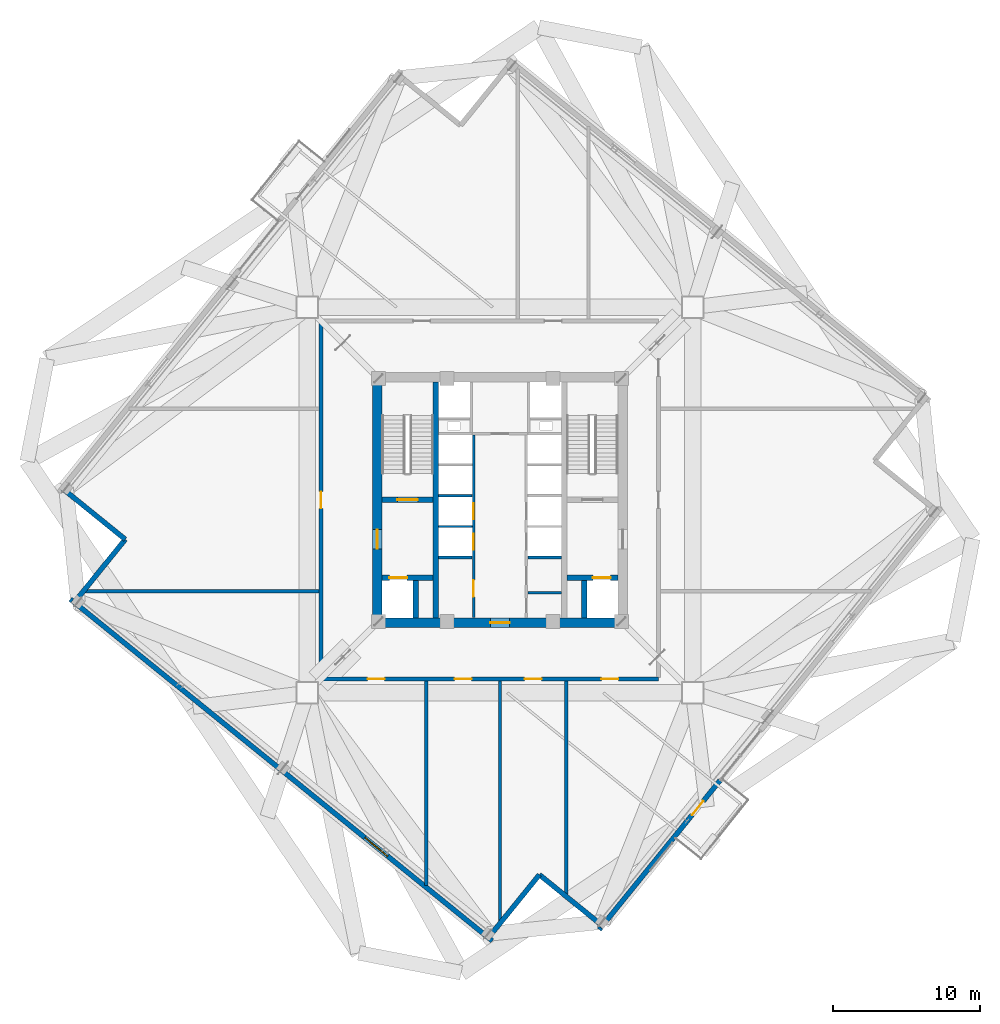
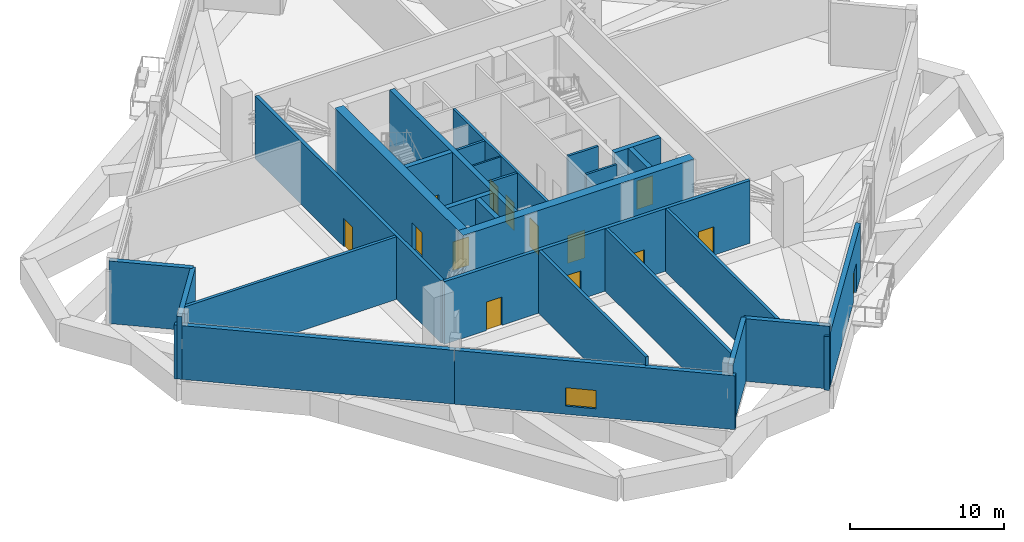
# One storey, part 17 of 22: 27 walls, 14 doors, 1 window, 15 openings.
"""IFC4 building model written with IfcOpenShell, lengths in metres."""

from ifc_helpers import new_model, si_unit, direction, frame, frame_2d, origin, place, context, subcontext, project, spatial, rectangle, extrude, source, transform, mapped, material, layer, layer_set, type_object, element, fill, save


model = new_model("IFC4")

# Units and contexts
model_context = context("Model", 3, precision=1e-05, world=origin(), true_north=direction((0.0, 1.0)))
body_context = subcontext(model_context, "Body", "Model", "MODEL_VIEW")
ifc_project = project(units=[si_unit("LENGTHUNIT", "METRE"), si_unit("AREAUNIT", "SQUARE_METRE"), si_unit("VOLUMEUNIT", "CUBIC_METRE"), si_unit("PLANEANGLEUNIT", "RADIAN"), si_unit("MASSUNIT", "GRAM", prefix="KILO"), si_unit("THERMODYNAMICTEMPERATUREUNIT", "KELVIN")], contexts=[model_context])

# Site, building, storey
site_placement = place(None, origin())
site = spatial("IfcSite", under=ifc_project, at=site_placement, CompositionType="ELEMENT")
building_placement = place(site_placement, origin())
building = spatial("IfcBuilding", under=site, at=building_placement, Name="Kosmvard Interchange Tower", CompositionType="ELEMENT")
storey_placement = place(building_placement, frame((0.0, 0.0, 200.39990234375)))
storey = spatial("IfcBuildingStorey", under=building, at=storey_placement, Name="L48", CompositionType="ELEMENT", Elevation=200.39990234375)

# Wall
ifc_material_1 = material(Name="Fire-rated gypsum partition system")
ifc_layer_1 = layer(ifc_material_1, 0.159912109375, Name="Fire-rated gypsum partition system")
ifc_layer_set_1 = layer_set([ifc_layer_1], Name="Fire-rated gypsum partition system")
wall_type_1 = type_object("IfcWallType", Name="Core Compartment & Shuttle Lobby Partition 160", PredefinedType="PARTITIONING", material=ifc_layer_set_1)
wall_1_placement = place(storey_placement, frame((1.889892578125, -6.300048828125, 0.0), z_axis=(0.0, 0.0, 1.0), x_axis=(1.0, 0.0, 0.0)))
element("IfcWall", 1, at=wall_1_placement, inside=storey, type_object=wall_type_1, Name="L48 Reclaimed Split E", PredefinedType="PARTITIONING", context=body_context, shape_type="SweptSolid", body=[
    extrude(rectangle(XDim=2.280029296875, YDim=0.159912109375, at=frame_2d((1.14013671875, 0.0))), origin(), (0.0, 0.0, 1.0), 4.960205078125),
])

# Wall, openings, doors
ifc_layer_2 = layer(ifc_material_1, 0.179931640625, Name="Fire-rated gypsum partition system")
ifc_layer_set_2 = layer_set([ifc_layer_2], Name="Fire-rated gypsum partition system")
wall_type_2 = type_object("IfcWallType", Name="Corridor & Hotel Compartment Partition 180", PredefinedType="PARTITIONING", material=ifc_layer_set_2)
wall_2_placement = place(storey_placement, frame((-1.7900390625, -7.97998046875, 0.0), z_axis=(0.0, 0.0, 1.0), x_axis=(0.0, 1.0, 0.0)))
wall_2 = element("IfcWall", 2, at=wall_2_placement, inside=storey, type_object=wall_type_2, Name="L48 West Lift Bank Front Wall", PredefinedType="PARTITIONING", context=body_context, shape_type="SweptSolid", body=[
    extrude(rectangle(XDim=12.3798828125, YDim=0.179931640625, at=frame_2d((6.18994140625, 0.0))), origin(), (0.0, 0.0, 1.0), 4.960205078125),
])
opening_1_placement = place(wall_2_placement, frame((4.60009765625, 0.0, 0.0)))
opening_1 = element("IfcOpeningElement", 3, at=opening_1_placement, cuts=wall_2, Name="Opening LD-PL-M1-L48", PredefinedType="OPENING", context=body_context, shape_type="SweptSolid", body=[
    extrude(rectangle(XDim=1.10009765625, YDim=2.199951171875, at=frame_2d((0.550048828125, 1.10009765625))), frame((0.0, 0.10009765625, 0.0), z_axis=(0.0, -1.0, 0.0), x_axis=(1.0, 0.0, 0.0)), (0.0, 0.0, 1.0), 0.199951171875),
])
opening_2_placement = place(wall_2_placement, frame((6.659912109375, 0.0, 0.0)))
opening_2 = element("IfcOpeningElement", 4, at=opening_2_placement, cuts=wall_2, Name="Opening LD-PL-M2-L48", PredefinedType="OPENING", context=body_context, shape_type="SweptSolid", body=[
    extrude(rectangle(XDim=1.10009765625, YDim=2.199951171875, at=frame_2d((0.550048828125, 1.10009765625))), frame((0.0, 0.10009765625, 0.0), z_axis=(0.0, -1.0, 0.0), x_axis=(1.0, 0.0, 0.0)), (0.0, 0.0, 1.0), 0.199951171875),
])
opening_3_placement = place(wall_2_placement, frame((1.39990234375, 0.0, 0.0)))
opening_3 = element("IfcOpeningElement", 5, at=opening_3_placement, cuts=wall_2, Name="Opening L48-CD1", PredefinedType="OPENING", context=body_context, shape_type="SweptSolid", body=[
    extrude(rectangle(XDim=1.14990234375, YDim=2.25, at=frame_2d((0.574951171875, 1.125))), frame((0.0, 0.10009765625, 0.0), z_axis=(0.0, -1.0, 0.0), x_axis=(1.0, 0.0, 0.0)), (0.0, 0.0, 1.0), 0.199951171875),
])
ifc_material_2 = material(Name="Painted fire-rated steel leaf", Category="steel")
door_type_1 = type_object("IfcDoorType", Name="Plant & Riser Fire Door 1150x2250 EI60", OperationType="NOTDEFINED", PredefinedType="DOOR", material=ifc_material_2)
shared_shape_1 = source(origin(), body_context, "Body", "SweptSolid", [
    extrude(rectangle(XDim=1.14990234375, YDim=2.25, at=frame_2d((0.574951171875, 1.125))), frame((0.0, 0.02490234375, 0.0), z_axis=(0.0, -1.0, 0.0), x_axis=(1.0, 0.0, 0.0)), (0.0, 0.0, 1.0), 0.050048828125),
])
door_1_placement = place(opening_3_placement, origin())
door_1 = element("IfcDoor", 6, at=door_1_placement, inside=storey, type_object=door_type_1, Name="L48 Core Server Door", OperationType="SINGLE_SWING_LEFT", OverallHeight=2.25, OverallWidth=1.14990234375, PredefinedType="DOOR", context=body_context, shape_type="MappedRepresentation", body=[
    mapped(shared_shape_1, transform((0.0, 0.0, 0.0), scale=1.0)),
])
fill(opening_3, door_1)
ifc_material_3 = material(Name="Brushed stainless steel sliding leaf", Category="steel")
door_type_2 = type_object("IfcDoorType", Name="Passenger Lift Sliding Landing Door 1100x2200 EI60", OperationType="DOUBLE_DOOR_SLIDING", PredefinedType="DOOR", material=ifc_material_3)
shared_shape_2 = source(origin(), body_context, "Body", "SweptSolid", [
    extrude(rectangle(XDim=1.10009765625, YDim=2.199951171875, at=frame_2d((0.550048828125, 1.10009765625))), frame((0.0, 0.02490234375, 0.0), z_axis=(0.0, -1.0, 0.0), x_axis=(1.0, 0.0, 0.0)), (0.0, 0.0, 1.0), 0.050048828125),
])
door_2_placement = place(opening_1_placement, frame((1.10009765625, 0.0, 0.0), z_axis=(0.0, 0.0, 1.0), x_axis=(-1.0, 0.0, 0.0)))
door_2 = element("IfcDoor", 7, at=door_2_placement, inside=storey, type_object=door_type_2, Name="Lift PL-M1 Landing Door L48", OperationType="DOUBLE_DOOR_SLIDING", OverallHeight=2.199951171875, OverallWidth=1.10009765625, PredefinedType="DOOR", context=body_context, shape_type="MappedRepresentation", body=[
    mapped(shared_shape_2, transform((0.0, 0.0, 0.0), scale=1.0)),
])
fill(opening_1, door_2)
door_3_placement = place(opening_2_placement, frame((1.10009765625, 0.0, 0.0), z_axis=(0.0, 0.0, 1.0), x_axis=(-1.0, 0.0, 0.0)))
door_3 = element("IfcDoor", 8, at=door_3_placement, inside=storey, type_object=door_type_2, Name="Lift PL-M2 Landing Door L48", OperationType="DOUBLE_DOOR_SLIDING", OverallHeight=2.199951171875, OverallWidth=1.10009765625, PredefinedType="DOOR", context=body_context, shape_type="MappedRepresentation", body=[
    mapped(shared_shape_2, transform((0.0, 0.0, 0.0), scale=1.0)),
])
fill(opening_2, door_3)

ifc_material_4 = material(Name="Concrete blockwork masonry", Category="masonry")
ifc_layer_3 = layer(ifc_material_4, 0.25, Name="Concrete blockwork masonry")
ifc_layer_set_3 = layer_set([ifc_layer_3], Name="Concrete blockwork masonry")
wall_type_3 = type_object("IfcWallType", Name="Exit Passage & Firefighting Lobby Wall 250", PredefinedType="PARTITIONING", material=ifc_layer_set_3)
wall_3_placement = place(storey_placement, frame((-12.14990234375, -12.14990234375, 0.0), z_axis=(0.0, 0.0, 1.0), x_axis=(1.0, 0.0, 0.0)))
wall_3 = element("IfcWall", 9, at=wall_3_placement, inside=storey, type_object=wall_type_3, Name="L48 Corridor Wall CS", PredefinedType="PARTITIONING", context=body_context, shape_type="SweptSolid", body=[
    extrude(rectangle(XDim=22.89990234375, YDim=0.25, at=frame_2d((11.449951171875, 0.0))), origin(), (0.0, 0.0, 1.0), 4.960205078125),
])
opening_4_placement = place(wall_3_placement, frame((19.03564453125, 0.0, 0.0)))
opening_4 = element("IfcOpeningElement", 10, at=opening_4_placement, cuts=wall_3, Name="Opening L48-D05", PredefinedType="OPENING", context=body_context, shape_type="SweptSolid", body=[
    extrude(rectangle(XDim=1.14990234375, YDim=2.25, at=frame_2d((0.574951171875, 1.125))), frame((0.0, 0.135009765625, 0.0), z_axis=(0.0, -1.0, 0.0), x_axis=(1.0, 0.0, 0.0)), (0.0, 0.0, 1.0), 0.27001953125),
])
opening_5_placement = place(wall_3_placement, frame((13.824951171875, 0.0, 0.0)))
opening_5 = element("IfcOpeningElement", 11, at=opening_5_placement, cuts=wall_3, Name="Opening L48-D06", PredefinedType="OPENING", context=body_context, shape_type="SweptSolid", body=[
    extrude(rectangle(XDim=1.14990234375, YDim=2.25, at=frame_2d((0.574951171875, 1.125))), frame((0.0, 0.135009765625, 0.0), z_axis=(0.0, -1.0, 0.0), x_axis=(1.0, 0.0, 0.0)), (0.0, 0.0, 1.0), 0.27001953125),
])
opening_6_placement = place(wall_3_placement, frame((9.074951171875, 0.0, 0.0)))
opening_6 = element("IfcOpeningElement", 12, at=opening_6_placement, cuts=wall_3, Name="Opening L48-D07", PredefinedType="OPENING", context=body_context, shape_type="SweptSolid", body=[
    extrude(rectangle(XDim=1.14990234375, YDim=2.25, at=frame_2d((0.574951171875, 1.125))), frame((0.0, 0.135009765625, 0.0), z_axis=(0.0, -1.0, 0.0), x_axis=(1.0, 0.0, 0.0)), (0.0, 0.0, 1.0), 0.27001953125),
])
opening_7_placement = place(wall_3_placement, frame((3.16455078125, 0.0, 0.0)))
opening_7 = element("IfcOpeningElement", 13, at=opening_7_placement, cuts=wall_3, Name="Opening L48-D08", PredefinedType="OPENING", context=body_context, shape_type="SweptSolid", body=[
    extrude(rectangle(XDim=1.14990234375, YDim=2.25, at=frame_2d((0.574951171875, 1.125))), frame((0.0, 0.135009765625, 0.0), z_axis=(0.0, -1.0, 0.0), x_axis=(1.0, 0.0, 0.0)), (0.0, 0.0, 1.0), 0.27001953125),
])
door_4_placement = place(opening_4_placement, frame((1.14990234375, 0.0, 0.0), z_axis=(0.0, 0.0, 1.0), x_axis=(-1.0, 0.0, 0.0)))
door_4 = element("IfcDoor", 14, at=door_4_placement, inside=storey, type_object=door_type_1, Name="L48 High-Zone Transformer Plant Room Door", OperationType="SINGLE_SWING_LEFT", OverallHeight=2.25, OverallWidth=1.14990234375, PredefinedType="DOOR", context=body_context, shape_type="MappedRepresentation", body=[
    mapped(shared_shape_1, transform((0.0, 0.0, 0.0), scale=1.0)),
])
fill(opening_4, door_4)
door_5_placement = place(opening_5_placement, frame((1.14990234375, 0.0, 0.0), z_axis=(0.0, 0.0, 1.0), x_axis=(-1.0, 0.0, 0.0)))
door_5 = element("IfcDoor", 15, at=door_5_placement, inside=storey, type_object=door_type_1, Name="L48 Emergency UPS Battery Plant Room Door", OperationType="SINGLE_SWING_RIGHT", OverallHeight=2.25, OverallWidth=1.14990234375, PredefinedType="DOOR", context=body_context, shape_type="MappedRepresentation", body=[
    mapped(shared_shape_1, transform((0.0, 0.0, 0.0), scale=1.0)),
])
fill(opening_5, door_5)
door_6_placement = place(opening_6_placement, frame((1.14990234375, 0.0, 0.0), z_axis=(0.0, 0.0, 1.0), x_axis=(-1.0, 0.0, 0.0)))
door_6 = element("IfcDoor", 16, at=door_6_placement, inside=storey, type_object=door_type_1, Name="L48 Pressurisation Control Plant Room Door", OperationType="SINGLE_SWING_LEFT", OverallHeight=2.25, OverallWidth=1.14990234375, PredefinedType="DOOR", context=body_context, shape_type="MappedRepresentation", body=[
    mapped(shared_shape_1, transform((0.0, 0.0, 0.0), scale=1.0)),
])
fill(opening_6, door_6)
door_7_placement = place(opening_7_placement, frame((1.14990234375, 0.0, 0.0), z_axis=(0.0, 0.0, 1.0), x_axis=(-1.0, 0.0, 0.0)))
door_7 = element("IfcDoor", 17, at=door_7_placement, inside=storey, type_object=door_type_1, Name="L48 Dedicated Outdoor Air Fan Plant Room Door", OperationType="SINGLE_SWING_RIGHT", OverallHeight=2.25, OverallWidth=1.14990234375, PredefinedType="DOOR", context=body_context, shape_type="MappedRepresentation", body=[
    mapped(shared_shape_1, transform((0.0, 0.0, 0.0), scale=1.0)),
])
fill(opening_7, door_7)

# Wall, opening, door
wall_4_placement = place(storey_placement, frame((-12.14990234375, -12.050048828125, 0.0), z_axis=(0.0, 0.0, 1.0), x_axis=(0.0, 1.0, 0.0)))
wall_4 = element("IfcWall", 18, at=wall_4_placement, inside=storey, type_object=wall_type_3, Name="L48 Corridor Wall CW", PredefinedType="PARTITIONING", context=body_context, shape_type="SweptSolid", body=[
    extrude(rectangle(XDim=24.10009765625, YDim=0.25, at=frame_2d((12.050048828125, 0.0))), origin(), (0.0, 0.0, 1.0), 4.960205078125),
])
opening_8_placement = place(wall_4_placement, frame((11.47509765625, 0.0, 0.0)))
opening_8 = element("IfcOpeningElement", 19, at=opening_8_placement, cuts=wall_4, Name="Opening L48-D09", PredefinedType="OPENING", context=body_context, shape_type="SweptSolid", body=[
    extrude(rectangle(XDim=1.14990234375, YDim=2.25, at=frame_2d((0.574951171875, 1.125))), frame((0.0, 0.135009765625, 0.0), z_axis=(0.0, -1.0, 0.0), x_axis=(1.0, 0.0, 0.0)), (0.0, 0.0, 1.0), 0.27001953125),
])
door_8_placement = place(opening_8_placement, origin())
door_8 = element("IfcDoor", 20, at=door_8_placement, inside=storey, type_object=door_type_1, Name="L48 Refuge Area West Door", OperationType="SINGLE_SWING_LEFT", OverallHeight=2.25, OverallWidth=1.14990234375, PredefinedType="DOOR", context=body_context, shape_type="MappedRepresentation", body=[
    mapped(shared_shape_1, transform((0.0, 0.0, 0.0), scale=1.0)),
])
fill(opening_8, door_8)

ifc_material_5 = material(Name="Concrete C70/85", Category="concrete")
ifc_layer_4 = layer(ifc_material_5, 0.64990234375, Name="Concrete C70/85")
ifc_layer_set_4 = layer_set([ifc_layer_4], Name="Concrete C70/85")
wall_type_4 = type_object("IfcWallType", Name="Mid Core Shear Wall 650 C70/85", PredefinedType="SHEAR", material=ifc_layer_set_4)
wall_5_placement = place(storey_placement, frame((-8.64990234375, -8.324951171875, 0.0), z_axis=(0.0, 0.0, 1.0), x_axis=(1.0, 0.0, 0.0)))
wall_5 = element("IfcWall", 21, at=wall_5_placement, inside=storey, type_object=wall_type_4, Name="L48 Core Shear Wall CW-S", PredefinedType="SHEAR", context=body_context, shape_type="SweptSolid", body=[
    extrude(rectangle(XDim=17.2998046875, YDim=0.64990234375, at=frame_2d((8.64990234375, 0.0))), origin(), (0.0, 0.0, 1.0), 5.2001953125),
])
opening_9_placement = place(wall_5_placement, frame((8.0, 0.0, 0.0)))
opening_9 = element("IfcOpeningElement", 22, at=opening_9_placement, cuts=wall_5, Name="Opening L48-LD0", PredefinedType="OPENING", context=body_context, shape_type="SweptSolid", body=[
    extrude(rectangle(XDim=1.300048828125, YDim=2.199951171875, at=frame_2d((0.64990234375, 1.10009765625))), frame((0.0, 0.3349609375, 0.0), z_axis=(0.0, -1.0, 0.0), x_axis=(1.0, 0.0, 0.0)), (0.0, 0.0, 1.0), 0.669921875),
])
door_type_3 = type_object("IfcDoorType", Name="Firefighting Lobby Door 1300x2200 EI60", OperationType="NOTDEFINED", PredefinedType="DOOR", material=ifc_material_2)
shared_shape_3 = source(origin(), body_context, "Body", "SweptSolid", [
    extrude(rectangle(XDim=1.300048828125, YDim=2.199951171875, at=frame_2d((0.64990234375, 1.10009765625))), frame((0.0, 0.02490234375, 0.0), z_axis=(0.0, -1.0, 0.0), x_axis=(1.0, 0.0, 0.0)), (0.0, 0.0, 1.0), 0.050048828125),
])
door_9_placement = place(opening_9_placement, frame((1.300048828125, 0.0, 0.0), z_axis=(0.0, 0.0, 1.0), x_axis=(-1.0, 0.0, 0.0)))
door_9 = element("IfcDoor", 23, at=door_9_placement, inside=storey, type_object=door_type_3, Name="L48 Passenger Lift Lobby South Door", OperationType="SINGLE_SWING_RIGHT", OverallHeight=2.199951171875, OverallWidth=1.300048828125, PredefinedType="DOOR", context=body_context, shape_type="MappedRepresentation", body=[
    mapped(shared_shape_3, transform((0.0, 0.0, 0.0), scale=1.0)),
])
fill(opening_9, door_9)

wall_6_placement = place(storey_placement, frame((-8.324951171875, -8.0, 0.0), z_axis=(0.0, 0.0, 1.0), x_axis=(0.0, 1.0, 0.0)))
wall_6 = element("IfcWall", 24, at=wall_6_placement, inside=storey, type_object=wall_type_4, Name="L48 Core Shear Wall CW-W", PredefinedType="SHEAR", context=body_context, shape_type="SweptSolid", body=[
    extrude(rectangle(XDim=16.0, YDim=0.64990234375, at=frame_2d((8.0, 0.0))), origin(), (0.0, 0.0, 1.0), 5.2001953125),
])
opening_10_placement = place(wall_6_placement, frame((4.68994140625, 0.0, 0.0)))
opening_10 = element("IfcOpeningElement", 25, at=opening_10_placement, cuts=wall_6, Name="Opening L48-FD1", PredefinedType="OPENING", context=body_context, shape_type="SweptSolid", body=[
    extrude(rectangle(XDim=1.300048828125, YDim=2.199951171875, at=frame_2d((0.64990234375, 1.10009765625))), frame((0.0, 0.3349609375, 0.0), z_axis=(0.0, -1.0, 0.0), x_axis=(1.0, 0.0, 0.0)), (0.0, 0.0, 1.0), 0.669921875),
])
door_10_placement = place(opening_10_placement, frame((1.300048828125, 0.0, 0.0), z_axis=(0.0, 0.0, 1.0), x_axis=(-1.0, 0.0, 0.0)))
door_10 = element("IfcDoor", 26, at=door_10_placement, inside=storey, type_object=door_type_3, Name="L48 Firefighting Lobby West Door", OperationType="SINGLE_SWING_LEFT", OverallHeight=2.199951171875, OverallWidth=1.300048828125, PredefinedType="DOOR", context=body_context, shape_type="MappedRepresentation", body=[
    mapped(shared_shape_3, transform((0.0, 0.0, 0.0), scale=1.0)),
])
fill(opening_10, door_10)

# Walls
ifc_material_6 = material(Name="Precast concrete C45/55", Category="concrete")
ifc_layer_5 = layer(ifc_material_6, 0.340087890625, Name="Precast concrete C45/55")
ifc_layer_set_5 = layer_set([ifc_layer_5], Name="Precast concrete C45/55")
wall_type_5 = type_object("IfcWallType", Name="Mid Tower Precast Pier Wall 340 C45/55", PredefinedType="STANDARD", material=ifc_layer_set_5)
wall_7_placement = place(storey_placement, frame((-29.703125, 0.78857421875, 0.0), z_axis=(0.0, 0.0, 1.0), x_axis=(0.77714355312, -0.629323365087, 0.0)))
element("IfcWall", 27, at=wall_7_placement, inside=storey, type_object=wall_type_5, Name="L48 Corner Precast Pier N-NW1", PredefinedType="STANDARD", context=body_context, shape_type="SweptSolid", body=[
    extrude(rectangle(XDim=5.499755859375, YDim=0.340087890625, at=frame_2d((2.75, 0.0))), origin(), (0.0, 0.0, 1.0), 4.960205078125),
])
wall_8_placement = place(storey_placement, frame((-25.428955078125, -2.672607421875, 0.0), z_axis=(0.0, 0.0, 1.0), x_axis=(-0.629299794138, -0.777162640055, 0.0)))
element("IfcWall", 28, at=wall_8_placement, inside=storey, type_object=wall_type_5, Name="L48 Corner Precast Pier N-NW2", PredefinedType="STANDARD", context=body_context, shape_type="SweptSolid", body=[
    extrude(rectangle(XDim=5.669921875, YDim=0.340087890625, at=frame_2d((2.8349609375, 0.0))), origin(), (0.0, 0.0, 1.0), 4.960205078125),
])
wall_9_placement = place(storey_placement, frame((-0.78857421875, -29.703125, 0.0), z_axis=(0.0, 0.0, 1.0), x_axis=(0.629323365087, 0.77714355312, 0.0)))
element("IfcWall", 29, at=wall_9_placement, inside=storey, type_object=wall_type_5, Name="L48 Corner Precast Pier N-SW1", PredefinedType="STANDARD", context=body_context, shape_type="SweptSolid", body=[
    extrude(rectangle(XDim=5.499755859375, YDim=0.340087890625, at=frame_2d((2.75, 0.0))), origin(), (0.0, 0.0, 1.0), 4.960205078125),
])
wall_10_placement = place(storey_placement, frame((2.672607421875, -25.428955078125, 0.0), z_axis=(0.0, 0.0, 1.0), x_axis=(0.777162640055, -0.629299794138, 0.0)))
element("IfcWall", 30, at=wall_10_placement, inside=storey, type_object=wall_type_5, Name="L48 Corner Precast Pier N-SW2", PredefinedType="STANDARD", context=body_context, shape_type="SweptSolid", body=[
    extrude(rectangle(XDim=5.669921875, YDim=0.340087890625, at=frame_2d((2.8349609375, 0.0))), origin(), (0.0, 0.0, 1.0), 4.960205078125),
])

# Wall, opening, door
wall_11_placement = place(storey_placement, frame((6.73291015625, -29.154296875, 0.0), z_axis=(0.0, 0.0, 1.0), x_axis=(0.629326061894, 0.777141369263, 0.0)))
wall_11 = element("IfcWall", 31, at=wall_11_placement, inside=storey, type_object=wall_type_5, Name="L48 Facade Pier Wall SA", PredefinedType="STANDARD", context=body_context, shape_type="SweptSolid", body=[
    extrude(rectangle(XDim=13.02001953125, YDim=0.340087890625, at=frame_2d((6.510009765625, 0.0))), origin(), (0.0, 0.0, 1.0), 4.260009765625),
])
opening_11_placement = place(wall_11_placement, frame((10.02001953125, 0.0, 0.0)))
opening_11 = element("IfcOpeningElement", 32, at=opening_11_placement, cuts=wall_11, Name="Opening L48-TDS", PredefinedType="OPENING", context=body_context, shape_type="SweptSolid", body=[
    extrude(rectangle(XDim=1.199951171875, YDim=2.300048828125, at=frame_2d((0.60009765625, 1.14990234375))), frame((0.0, 0.18017578125, 0.0), z_axis=(0.0, -1.0, 0.0), x_axis=(1.0, 0.0, 0.0)), (0.0, 0.0, 1.0), 0.360107421875),
])
ifc_material_7 = material(Name="Anodised aluminium and safety glass", Category="aluminium")
door_type_4 = type_object("IfcDoorType", Name="Cascade Terrace Glazed Door 1200x2300", OperationType="NOTDEFINED", PredefinedType="DOOR", material=ifc_material_7)
shared_shape_4 = source(origin(), body_context, "Body", "SweptSolid", [
    extrude(rectangle(XDim=1.199951171875, YDim=2.300048828125, at=frame_2d((0.60009765625, 1.14990234375))), frame((0.0, 0.02490234375, 0.0), z_axis=(0.0, -1.0, 0.0), x_axis=(1.0, 0.0, 0.0)), (0.0, 0.0, 1.0), 0.050048828125),
])
door_11_placement = place(opening_11_placement, origin())
door_11 = element("IfcDoor", 33, at=door_11_placement, inside=storey, type_object=door_type_4, Name="L48 Terrace Access Door SKG-L48-S", OperationType="SINGLE_SWING_LEFT", OverallHeight=2.300048828125, OverallWidth=1.199951171875, PredefinedType="DOOR", context=body_context, shape_type="MappedRepresentation", body=[
    mapped(shared_shape_4, transform((0.0, 0.0, 0.0), scale=1.0)),
])
fill(opening_11, door_11)

# Wall
wall_12_placement = place(storey_placement, frame((-29.154296875, -6.73291015625, 0.0), z_axis=(0.0, 0.0, 1.0), x_axis=(0.777138681893, -0.629329380456, 0.0)))
element("IfcWall", 34, at=wall_12_placement, inside=storey, type_object=wall_type_5, Name="L48 Facade Pier Wall WA", PredefinedType="STANDARD", context=body_context, shape_type="SweptSolid", body=[
    extrude(rectangle(XDim=18.420166015625, YDim=0.340087890625, at=frame_2d((9.2099609375, 0.0))), origin(), (0.0, 0.0, 1.0), 4.260009765625),
])

# Wall, opening, window
wall_13_placement = place(storey_placement, frame((-14.83935546875, -18.3251953125, 0.0), z_axis=(0.0, 0.0, 1.0), x_axis=(0.777145164153, -0.629321375637, 0.0)))
wall_13 = element("IfcWall", 35, at=wall_13_placement, inside=storey, type_object=wall_type_5, Name="L48 Facade Pier Wall WB", PredefinedType="STANDARD", context=body_context, shape_type="SweptSolid", body=[
    extrude(rectangle(XDim=18.419921875, YDim=0.340087890625, at=frame_2d((9.2099609375, 0.0))), origin(), (0.0, 0.0, 1.0), 4.260009765625),
])
opening_12_placement = place(wall_13_placement, frame((7.2890625, 0.0, 0.64990234375)))
opening_12 = element("IfcOpeningElement", 36, at=opening_12_placement, cuts=wall_13, Name="Opening L48-WWB", PredefinedType="OPENING", context=body_context, shape_type="SweptSolid", body=[
    extrude(rectangle(XDim=2.0, YDim=1.449951171875, at=frame_2d((1.0, 0.72509765625))), frame((0.0, 0.18017578125, 0.0), z_axis=(0.0, -1.0, 0.0), x_axis=(1.0, 0.0, 0.0)), (0.0, 0.0, 1.0), 0.360107421875),
])
ifc_material_8 = material(Name="Low-E solar-control double glazing", Category="glass")
window_type = type_object("IfcWindowType", Name="Transfer Zone Punched Window 2000x1450", PartitioningType="SINGLE_PANEL", PredefinedType="WINDOW", material=ifc_material_8)
shared_shape_5 = source(origin(), body_context, "Body", "SweptSolid", [
    extrude(rectangle(XDim=2.0, YDim=1.449951171875, at=frame_2d((1.0, 0.72509765625))), frame((0.0, 0.030029296875, 0.0), z_axis=(0.0, -1.0, 0.0), x_axis=(1.0, 0.0, 0.0)), (0.0, 0.0, 1.0), 0.06005859375),
])
window_placement = place(opening_12_placement, origin())
window = element("IfcWindow", 37, at=window_placement, inside=storey, type_object=window_type, Name="L48 Facade Punched Window WB", OverallHeight=1.449951171875, OverallWidth=2.0, PartitioningType="SINGLE_PANEL", PredefinedType="WINDOW", context=body_context, shape_type="MappedRepresentation", body=[
    mapped(shared_shape_5, transform((0.0, 0.0, 0.0), scale=1.0)),
])
fill(opening_12, window)

# Walls
ifc_layer_6 = layer(ifc_material_4, 0.179931640625, Name="Concrete blockwork masonry")
ifc_layer_set_6 = layer_set([ifc_layer_6], Name="Concrete blockwork masonry")
wall_type_6 = type_object("IfcWallType", Name="Riser & Lift Bank Divider Wall 180", PredefinedType="PARTITIONING", material=ifc_layer_set_6)
for number, where, z_axis, x_axis, name in (
    (38, (-4.169921875, -3.89990234375, 0.0), (0.0, 0.0, 1.0), (1.0, 0.0, 0.0), "L48 West Bank Divider BD1"),
    (39, (1.889892578125, -3.89990234375, 0.0), (0.0, 0.0, 1.0), (1.0, 0.0, 0.0), "L48 East Bank Divider BD1"),
    (40, (-4.169921875, 0.300048828125, 0.0), (0.0, 0.0, 1.0), (1.0, 0.0, 0.0), "L48 West Bank Divider BD2"),
):
    element("IfcWall", number, at=place(storey_placement, frame(where, z_axis=z_axis, x_axis=x_axis)), inside=storey, type_object=wall_type_6, Name=name, PredefinedType="PARTITIONING", context=body_context, shape_type="SweptSolid", body=[
        extrude(rectangle(XDim=2.280029296875, YDim=0.179931640625, at=frame_2d((1.14013671875, 0.0))), origin(), (0.0, 0.0, 1.0), 4.960205078125),
    ])
ifc_layer_7 = layer(ifc_material_4, 0.219970703125, Name="Concrete blockwork masonry")
ifc_layer_set_7 = layer_set([ifc_layer_7], Name="Concrete blockwork masonry")
wall_type_7 = type_object("IfcWallType", Name="Riser & Plant Enclosure Wall 220", PredefinedType="PARTITIONING", material=ifc_layer_set_7)
wall_14_placement = place(storey_placement, frame((4.5, -12.280029296875, 0.0), z_axis=(0.0, 0.0, 1.0), x_axis=(0.0, -1.0, 0.0)))
element("IfcWall", 41, at=wall_14_placement, inside=storey, type_object=wall_type_7, Name="L48 Room Partition 05.1", PredefinedType="PARTITIONING", context=body_context, shape_type="SweptSolid", body=[
    extrude(rectangle(XDim=14.493408203125, YDim=0.219970703125, at=frame_2d((7.24658203125, 0.0))), origin(), (0.0, 0.0, 1.0), 4.960205078125),
])
wall_15_placement = place(storey_placement, frame((0.0, -12.280029296875, 0.0), z_axis=(0.0, 0.0, 1.0), x_axis=(0.0, -1.0, 0.0)))
element("IfcWall", 42, at=wall_15_placement, inside=storey, type_object=wall_type_7, Name="L48 Room Partition 06.1", PredefinedType="PARTITIONING", context=body_context, shape_type="SweptSolid", body=[
    extrude(rectangle(XDim=16.282470703125, YDim=0.219970703125, at=frame_2d((8.14111328125, 0.0))), origin(), (0.0, 0.0, 1.0), 4.960205078125),
])
wall_16_placement = place(storey_placement, frame((-5.0, -12.280029296875, 0.0), z_axis=(0.0, 0.0, 1.0), x_axis=(0.0, -1.0, 0.0)))
element("IfcWall", 43, at=wall_16_placement, inside=storey, type_object=wall_type_7, Name="L48 Room Partition 07.1", PredefinedType="PARTITIONING", context=body_context, shape_type="SweptSolid", body=[
    extrude(rectangle(XDim=13.877685546875, YDim=0.219970703125, at=frame_2d((6.93896484375, 0.0))), origin(), (0.0, 0.0, 1.0), 4.960205078125),
])
wall_17_placement = place(storey_placement, frame((-12.280029296875, -6.199951171875, 0.0), z_axis=(0.0, 0.0, 1.0), x_axis=(-1.0, 0.0, 0.0)))
element("IfcWall", 44, at=wall_17_placement, inside=storey, type_object=wall_type_7, Name="L48 Room Partition 08.1", PredefinedType="PARTITIONING", context=body_context, shape_type="SweptSolid", body=[
    extrude(rectangle(XDim=15.8701171875, YDim=0.219970703125, at=frame_2d((7.93505859375, 0.0))), origin(), (0.0, 0.0, 1.0), 4.960205078125),
])
ifc_material_9 = material(Name="Fire-rated gypsum shaftwall system")
ifc_layer_8 = layer(ifc_material_9, 0.1201171875, Name="Fire-rated gypsum shaftwall system")
ifc_layer_set_8 = layer_set([ifc_layer_8], Name="Fire-rated gypsum shaftwall system")
wall_type_8 = type_object("IfcWallType", Name="Shaft & Riser Fire Partition 120 EI60", PredefinedType="PARTITIONING", material=ifc_layer_set_8)
wall_18_placement = place(storey_placement, frame((-4.159912109375, -1.800048828125, 0.0), z_axis=(0.0, 0.0, 1.0), x_axis=(1.0, 0.0, 0.0)))
element("IfcWall", 45, at=wall_18_placement, inside=storey, type_object=wall_type_8, Name="L48 Shaft Divider PL-M1", PredefinedType="PARTITIONING", context=body_context, shape_type="SweptSolid", body=[
    extrude(rectangle(XDim=2.260009765625, YDim=0.1201171875, at=frame_2d((1.1298828125, 0.0))), origin(), (0.0, 0.0, 1.0), 4.960205078125),
])
ifc_material_10 = material(Name="Concrete C60/75", Category="concrete")
ifc_layer_9 = layer(ifc_material_10, 0.360107421875, Name="Concrete C60/75")
ifc_layer_set_9 = layer_set([ifc_layer_9], Name="Concrete C60/75")
wall_type_9 = type_object("IfcWallType", Name="Stair & Lift Shaft Shear Wall 360 C60/75", PredefinedType="SHEAR", material=ifc_layer_set_9)
wall_19_placement = place(storey_placement, frame((-4.360107421875, -8.0, 0.0), z_axis=(0.0, 0.0, 1.0), x_axis=(0.0, 1.0, 0.0)))
element("IfcWall", 46, at=wall_19_placement, inside=storey, type_object=wall_type_9, Name="L48 Shaft Shear Wall SW-W", PredefinedType="SHEAR", context=body_context, shape_type="SweptSolid", body=[
    extrude(rectangle(XDim=16.0, YDim=0.360107421875, at=frame_2d((8.0, 0.0))), origin(), (0.0, 0.0, 1.0), 5.2001953125),
])

# Wall, opening, door
wall_20_placement = place(storey_placement, frame((-8.0, 0.02001953125, 0.0), z_axis=(0.0, 0.0, 1.0), x_axis=(1.0, 0.0, 0.0)))
wall_20 = element("IfcWall", 47, at=wall_20_placement, inside=storey, type_object=wall_type_9, Name="L48 Shaft Shear Wall SW-ST1", PredefinedType="SHEAR", context=body_context, shape_type="SweptSolid", body=[
    extrude(rectangle(XDim=3.4599609375, YDim=0.360107421875, at=frame_2d((1.72998046875, 0.0))), origin(), (0.0, 0.0, 1.0), 5.2001953125),
])
opening_13_placement = place(wall_20_placement, frame((1.030029296875, 0.0, 0.0)))
opening_13 = element("IfcOpeningElement", 48, at=opening_13_placement, cuts=wall_20, Name="Opening L48-SD1", PredefinedType="OPENING", context=body_context, shape_type="SweptSolid", body=[
    extrude(rectangle(XDim=1.39990234375, YDim=2.199951171875, at=frame_2d((0.699951171875, 1.10009765625))), frame((0.0, 0.18994140625, 0.0), z_axis=(0.0, -1.0, 0.0), x_axis=(1.0, 0.0, 0.0)), (0.0, 0.0, 1.0), 0.380126953125),
])
door_type_5 = type_object("IfcDoorType", Name="Protected Stair Door 1400x2200 FD60S", OperationType="NOTDEFINED", PredefinedType="DOOR", material=ifc_material_2)
shared_shape_6 = source(origin(), body_context, "Body", "SweptSolid", [
    extrude(rectangle(XDim=1.39990234375, YDim=2.199951171875, at=frame_2d((0.699951171875, 1.10009765625))), frame((0.0, 0.02490234375, 0.0), z_axis=(0.0, -1.0, 0.0), x_axis=(1.0, 0.0, 0.0)), (0.0, 0.0, 1.0), 0.050048828125),
])
door_12_placement = place(opening_13_placement, origin())
door_12 = element("IfcDoor", 49, at=door_12_placement, inside=storey, type_object=door_type_5, Name="L48 Stair ST-1 Enclosure Door", OperationType="SINGLE_SWING_LEFT", OverallHeight=2.199951171875, OverallWidth=1.39990234375, PredefinedType="DOOR", context=body_context, shape_type="MappedRepresentation", body=[
    mapped(shared_shape_6, transform((0.0, 0.0, 0.0), scale=1.0)),
])
fill(opening_13, door_12)

wall_21_placement = place(storey_placement, frame((-8.0, -5.280029296875, 0.0), z_axis=(0.0, 0.0, 1.0), x_axis=(1.0, 0.0, 0.0)))
wall_21 = element("IfcWall", 50, at=wall_21_placement, inside=storey, type_object=wall_type_9, Name="L48 Shaft Shear Wall SW-FF1", PredefinedType="SHEAR", context=body_context, shape_type="SweptSolid", body=[
    extrude(rectangle(XDim=3.4599609375, YDim=0.360107421875, at=frame_2d((1.72998046875, 0.0))), origin(), (0.0, 0.0, 1.0), 5.2001953125),
])
opening_14_placement = place(wall_21_placement, frame((0.5, 0.0, 0.0)))
opening_14 = element("IfcOpeningElement", 51, at=opening_14_placement, cuts=wall_21, Name="Opening LD-FF-1-L48", PredefinedType="OPENING", context=body_context, shape_type="SweptSolid", body=[
    extrude(rectangle(XDim=1.199951171875, YDim=2.25, at=frame_2d((0.60009765625, 1.125))), frame((0.0, 0.18994140625, 0.0), z_axis=(0.0, -1.0, 0.0), x_axis=(1.0, 0.0, 0.0)), (0.0, 0.0, 1.0), 0.380126953125),
])
door_type_6 = type_object("IfcDoorType", Name="Firefighting Lift Sliding Landing Door 1200x2250 EI120", OperationType="DOUBLE_DOOR_SLIDING", PredefinedType="DOOR", material=ifc_material_3)
shared_shape_7 = source(origin(), body_context, "Body", "SweptSolid", [
    extrude(rectangle(XDim=1.199951171875, YDim=2.25, at=frame_2d((0.60009765625, 1.125))), frame((0.0, 0.02490234375, 0.0), z_axis=(0.0, -1.0, 0.0), x_axis=(1.0, 0.0, 0.0)), (0.0, 0.0, 1.0), 0.050048828125),
])
door_13_placement = place(opening_14_placement, origin())
door_13 = element("IfcDoor", 52, at=door_13_placement, inside=storey, type_object=door_type_6, Name="Lift FF-1 Landing Door L48", OperationType="DOUBLE_DOOR_SLIDING", OverallHeight=2.25, OverallWidth=1.199951171875, PredefinedType="DOOR", context=body_context, shape_type="MappedRepresentation", body=[
    mapped(shared_shape_7, transform((0.0, 0.0, 0.0), scale=1.0)),
])
fill(opening_14, door_13)

wall_22_placement = place(storey_placement, frame((4.5400390625, -5.280029296875, 0.0), z_axis=(0.0, 0.0, 1.0), x_axis=(1.0, 0.0, 0.0)))
wall_22 = element("IfcWall", 53, at=wall_22_placement, inside=storey, type_object=wall_type_9, Name="L48 Shaft Shear Wall SW-FF2", PredefinedType="SHEAR", context=body_context, shape_type="SweptSolid", body=[
    extrude(rectangle(XDim=3.4599609375, YDim=0.360107421875, at=frame_2d((1.72998046875, 0.0))), origin(), (0.0, 0.0, 1.0), 5.2001953125),
])
opening_15_placement = place(wall_22_placement, frame((1.760009765625, 0.0, 0.0)))
opening_15 = element("IfcOpeningElement", 54, at=opening_15_placement, cuts=wall_22, Name="Opening LD-FF-2-L48", PredefinedType="OPENING", context=body_context, shape_type="SweptSolid", body=[
    extrude(rectangle(XDim=1.199951171875, YDim=2.25, at=frame_2d((0.60009765625, 1.125))), frame((0.0, 0.18994140625, 0.0), z_axis=(0.0, -1.0, 0.0), x_axis=(1.0, 0.0, 0.0)), (0.0, 0.0, 1.0), 0.380126953125),
])
door_14_placement = place(opening_15_placement, origin())
door_14 = element("IfcDoor", 55, at=door_14_placement, inside=storey, type_object=door_type_6, Name="Lift FF-2 Landing Door L48", OperationType="DOUBLE_DOOR_SLIDING", OverallHeight=2.25, OverallWidth=1.199951171875, PredefinedType="DOOR", context=body_context, shape_type="MappedRepresentation", body=[
    mapped(shared_shape_7, transform((0.0, 0.0, 0.0), scale=1.0)),
])
fill(opening_15, door_14)

# Walls
for number, where, z_axis, x_axis, name in (
    (56, (-5.7099609375, -8.0, 0.0), (0.0, 0.0, 1.0), (0.0, 1.0, 0.0), "L48 Shaft Shear Wall SW-SM1"),
    (57, (5.7099609375, -8.0, 0.0), (0.0, 0.0, 1.0), (0.0, 1.0, 0.0), "L48 Shaft Shear Wall SW-SM2"),
):
    element("IfcWall", number, at=place(storey_placement, frame(where, z_axis=z_axis, x_axis=x_axis)), inside=storey, type_object=wall_type_9, Name=name, PredefinedType="SHEAR", context=body_context, shape_type="SweptSolid", body=[
        extrude(rectangle(XDim=2.5400390625, YDim=0.360107421875, at=frame_2d((1.27001953125, 0.0))), origin(), (0.0, 0.0, 1.0), 5.2001953125),
    ])

save(model, "model.ifc")
